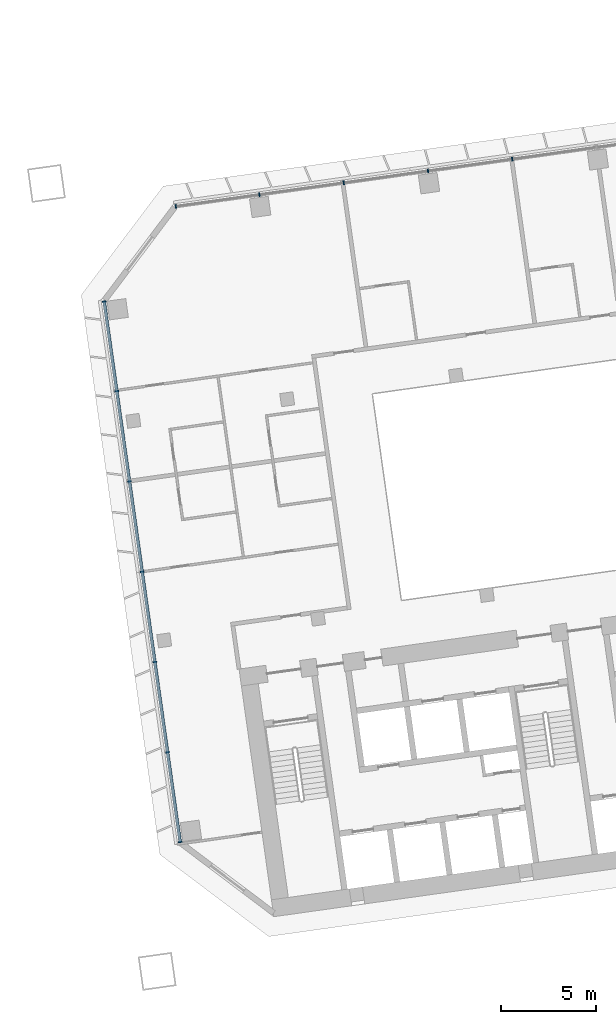
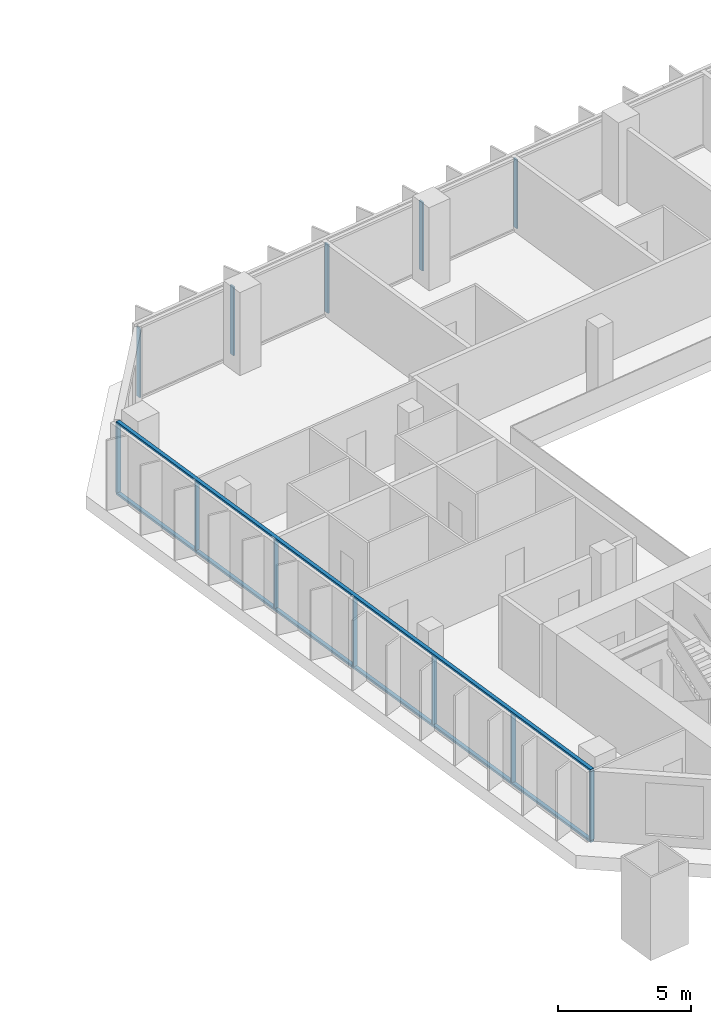
# One storey, part 7 of 24: 14 members, 2 elements without a shape of their own.
"""IFC4 building model written with IfcOpenShell, lengths in metres."""

from ifc_helpers import new_model, si_unit, direction, frame, origin, origin_2d, place, context, subcontext, project, spatial, rectangle, extrude, material, material_profile, profile_set, type_object, element, aggregate, save


model = new_model("IFC4")

# Units and contexts
model_context = context("Model", 3, precision=1e-05, world=origin(), true_north=direction((0.0, 1.0)))
body_context = subcontext(model_context, "Body", "Model", "MODEL_VIEW")
ifc_project = project(units=[si_unit("LENGTHUNIT", "METRE"), si_unit("AREAUNIT", "SQUARE_METRE"), si_unit("VOLUMEUNIT", "CUBIC_METRE"), si_unit("PLANEANGLEUNIT", "RADIAN"), si_unit("MASSUNIT", "GRAM", prefix="KILO")], contexts=[model_context])

# Site, building, storey
site_placement = place(None, origin())
site = spatial("IfcSite", under=ifc_project, at=site_placement, CompositionType="ELEMENT")
building_placement = place(site_placement, origin())
building = spatial("IfcBuilding", under=site, at=building_placement, Name="Mirante Cascada Hotel Towers", CompositionType="ELEMENT")
storey_placement = place(building_placement, frame((0.0, 0.0, 50.9)))
storey = spatial("IfcBuildingStorey", under=building, at=storey_placement, Name="L09", CompositionType="ELEMENT", Elevation=50.9)

# Curtain wall, members
ifc_material_1 = material(Name="Aluminium mullion and transom frame with clear laminated glass", Category="aluminium")
curtain_wall_type_1 = type_object("IfcCurtainWallType", Name="Ribbon curtain wall ECW1", PredefinedType="NOTDEFINED", material=ifc_material_1)
curtain_wall_1_placement = place(storey_placement, origin())
curtain_wall_1 = element("IfcCurtainWall", 1, at=curtain_wall_1_placement, inside=storey, type_object=curtain_wall_type_1, Name="Front ribbon wall T2 L09", PredefinedType="NOTDEFINED")
ifc_material_2 = material(Name="Anodised aluminium extrusion", Category="aluminium")
ifc_material_profile_1 = material_profile(ifc_material_2, rectangle(XDim=0.2, YDim=0.065, at=origin_2d()), Name="ECW1 MULLION 65x200")
ifc_profile_set_1 = profile_set([ifc_material_profile_1], Name="Anodised aluminium extrusion")
member_type_1 = type_object("IfcMemberType", Name="ECW1 mullion 65x200", PredefinedType="MULLION", material=ifc_profile_set_1)
member_1_placement = place(storey_placement, frame((49.684, 19.8017, 0.1), z_axis=(0.0, 0.0, 1.0), x_axis=(0.1391731, -0.9902681, 0.0)))
member_1 = element("IfcMember", 2, at=member_1_placement, type_object=member_type_1, Name="ECW1 mullion 11", PredefinedType="MULLION", context=body_context, shape_type="SweptSolid", body=[
    extrude(rectangle(XDim=0.2, YDim=0.065, at=origin_2d()), origin(), (0.0, 0.0, 1.0), 3.15),
])
member_2_placement = place(storey_placement, frame((45.2366, 19.1766, 0.1), z_axis=(0.0, 0.0, 1.0), x_axis=(0.1391731, -0.9902681, 0.0)))
member_2 = element("IfcMember", 3, at=member_2_placement, type_object=member_type_1, Name="ECW1 mullion 12", PredefinedType="MULLION", context=body_context, shape_type="SweptSolid", body=[
    extrude(rectangle(XDim=0.2, YDim=0.065, at=origin_2d()), origin(), (0.0, 0.0, 1.0), 3.15),
])
member_3_placement = place(storey_placement, frame((40.7892, 18.5516, 0.1), z_axis=(0.0, 0.0, 1.0), x_axis=(0.1391731, -0.9902681, 0.0)))
member_3 = element("IfcMember", 4, at=member_3_placement, type_object=member_type_1, Name="ECW1 mullion 13", PredefinedType="MULLION", context=body_context, shape_type="SweptSolid", body=[
    extrude(rectangle(XDim=0.2, YDim=0.065, at=origin_2d()), origin(), (0.0, 0.0, 1.0), 3.15),
])
member_4_placement = place(storey_placement, frame((36.3417, 17.9265, 0.1), z_axis=(0.0, 0.0, 1.0), x_axis=(0.1391731, -0.9902681, 0.0)))
member_4 = element("IfcMember", 5, at=member_4_placement, type_object=member_type_1, Name="ECW1 mullion 14", PredefinedType="MULLION", context=body_context, shape_type="SweptSolid", body=[
    extrude(rectangle(XDim=0.2, YDim=0.065, at=origin_2d()), origin(), (0.0, 0.0, 1.0), 3.15),
])
member_5_placement = place(storey_placement, frame((31.9265, 17.306, 0.1), z_axis=(0.0, 0.0, 1.0), x_axis=(0.1391731, -0.9902681, 0.0)))
member_5 = element("IfcMember", 6, at=member_5_placement, type_object=member_type_1, Name="ECW1 mullion 15", PredefinedType="MULLION", context=body_context, shape_type="SweptSolid", body=[
    extrude(rectangle(XDim=0.2, YDim=0.065, at=origin_2d()), origin(), (0.0, 0.0, 1.0), 3.15),
])
aggregate(curtain_wall_1, [member_1, member_2, member_3, member_4, member_5])

ifc_material_3 = material(Name="Aluminium mullion and transom frame with clear laminated glass", Category="aluminium")
curtain_wall_type_2 = type_object("IfcCurtainWallType", Name="End ribbon curtain wall ECW2", PredefinedType="NOTDEFINED", material=ifc_material_3)
curtain_wall_2_placement = place(storey_placement, origin())
curtain_wall_2 = element("IfcCurtainWall", 7, at=curtain_wall_2_placement, inside=storey, type_object=curtain_wall_type_2, Name="Inner end wall T2 L09", PredefinedType="NOTDEFINED")
ifc_material_4 = material(Name="Anodised aluminium extrusion", Category="aluminium")
ifc_material_profile_2 = material_profile(ifc_material_4, rectangle(XDim=0.2, YDim=0.065, at=origin_2d()), Name="ECW2 MULLION 65x200")
ifc_profile_set_2 = profile_set([ifc_material_profile_2], Name="Anodised aluminium extrusion")
member_type_2 = type_object("IfcMemberType", Name="ECW2 mullion 65x200", PredefinedType="MULLION", material=ifc_profile_set_2)
member_6_placement = place(storey_placement, frame((28.1437, 12.2861, 0.1), z_axis=(0.0, 0.0, 1.0), x_axis=(0.9902681, 0.1391731, 0.0)))
member_6 = element("IfcMember", 8, at=member_6_placement, type_object=member_type_2, Name="ECW2 mullion 1", PredefinedType="MULLION", context=body_context, shape_type="SweptSolid", body=[
    extrude(rectangle(XDim=0.2, YDim=0.065, at=origin_2d()), origin(), (0.0, 0.0, 1.0), 3.15),
])
member_7_placement = place(storey_placement, frame((28.809, 7.5524, 0.1), z_axis=(0.0, 0.0, 1.0), x_axis=(0.9902681, 0.1391731, 0.0)))
member_7 = element("IfcMember", 9, at=member_7_placement, type_object=member_type_2, Name="ECW2 mullion 2", PredefinedType="MULLION", context=body_context, shape_type="SweptSolid", body=[
    extrude(rectangle(XDim=0.2, YDim=0.065, at=origin_2d()), origin(), (0.0, 0.0, 1.0), 3.15),
])
member_8_placement = place(storey_placement, frame((29.4788, 2.7867, 0.1), z_axis=(0.0, 0.0, 1.0), x_axis=(0.9902681, 0.1391731, 0.0)))
member_8 = element("IfcMember", 10, at=member_8_placement, type_object=member_type_2, Name="ECW2 mullion 3", PredefinedType="MULLION", context=body_context, shape_type="SweptSolid", body=[
    extrude(rectangle(XDim=0.2, YDim=0.065, at=origin_2d()), origin(), (0.0, 0.0, 1.0), 3.15),
])
member_9_placement = place(storey_placement, frame((30.1485, -1.9791, 0.1), z_axis=(0.0, 0.0, 1.0), x_axis=(0.9902681, 0.1391731, 0.0)))
member_9 = element("IfcMember", 11, at=member_9_placement, type_object=member_type_2, Name="ECW2 mullion 4", PredefinedType="MULLION", context=body_context, shape_type="SweptSolid", body=[
    extrude(rectangle(XDim=0.2, YDim=0.065, at=origin_2d()), origin(), (0.0, 0.0, 1.0), 3.15),
])
member_10_placement = place(storey_placement, frame((30.8183, -6.7449, 0.1), z_axis=(0.0, 0.0, 1.0), x_axis=(0.9902681, 0.1391731, 0.0)))
member_10 = element("IfcMember", 12, at=member_10_placement, type_object=member_type_2, Name="ECW2 mullion 5", PredefinedType="MULLION", context=body_context, shape_type="SweptSolid", body=[
    extrude(rectangle(XDim=0.2, YDim=0.065, at=origin_2d()), origin(), (0.0, 0.0, 1.0), 3.15),
])
member_11_placement = place(storey_placement, frame((31.4881, -11.5107, 0.1), z_axis=(0.0, 0.0, 1.0), x_axis=(0.9902681, 0.1391731, 0.0)))
member_11 = element("IfcMember", 13, at=member_11_placement, type_object=member_type_2, Name="ECW2 mullion 6", PredefinedType="MULLION", context=body_context, shape_type="SweptSolid", body=[
    extrude(rectangle(XDim=0.2, YDim=0.065, at=origin_2d()), origin(), (0.0, 0.0, 1.0), 3.15),
])
member_12_placement = place(storey_placement, frame((32.1534, -16.2443, 0.1), z_axis=(0.0, 0.0, 1.0), x_axis=(0.9902681, 0.1391731, 0.0)))
member_12 = element("IfcMember", 14, at=member_12_placement, type_object=member_type_2, Name="ECW2 mullion 7", PredefinedType="MULLION", context=body_context, shape_type="SweptSolid", body=[
    extrude(rectangle(XDim=0.2, YDim=0.065, at=origin_2d()), origin(), (0.0, 0.0, 1.0), 3.15),
])
ifc_material_5 = material(Name="Anodised aluminium extrusion", Category="aluminium")
ifc_material_profile_3 = material_profile(ifc_material_5, rectangle(XDim=0.16, YDim=0.1, at=origin_2d()), Name="ECW2 TRANSOM 100x160")
ifc_profile_set_3 = profile_set([ifc_material_profile_3], Name="Anodised aluminium extrusion")
member_type_3 = type_object("IfcMemberType", Name="ECW2 transom 100x160", PredefinedType="USERDEFINED", material=ifc_profile_set_3)
member_13_placement = place(storey_placement, frame((28.1392, 12.3182, 0.05), z_axis=(0.1391723, -0.9902682, 0.0), x_axis=(0.9902682, 0.1391723, 0.0)))
member_13 = element("IfcMember", 15, at=member_13_placement, type_object=member_type_3, Name="ECW2 sill transom", ObjectType="TRANSOM", PredefinedType="USERDEFINED", context=body_context, shape_type="SweptSolid", body=[
    extrude(rectangle(XDim=0.16, YDim=0.1, at=origin_2d()), origin(), (0.0, 0.0, 1.0), 28.8757),
])
member_14_placement = place(storey_placement, frame((28.1392, 12.3182, 3.3), z_axis=(0.1391723, -0.9902682, 0.0), x_axis=(0.9902682, 0.1391723, 0.0)))
member_14 = element("IfcMember", 16, at=member_14_placement, type_object=member_type_3, Name="ECW2 head transom", ObjectType="TRANSOM", PredefinedType="USERDEFINED", context=body_context, shape_type="SweptSolid", body=[
    extrude(rectangle(XDim=0.16, YDim=0.1, at=origin_2d()), origin(), (0.0, 0.0, 1.0), 28.8757),
])
aggregate(curtain_wall_2, [member_13, member_14, member_6, member_7, member_8, member_9, member_10, member_11, member_12])

save(model, "model.ifc")
